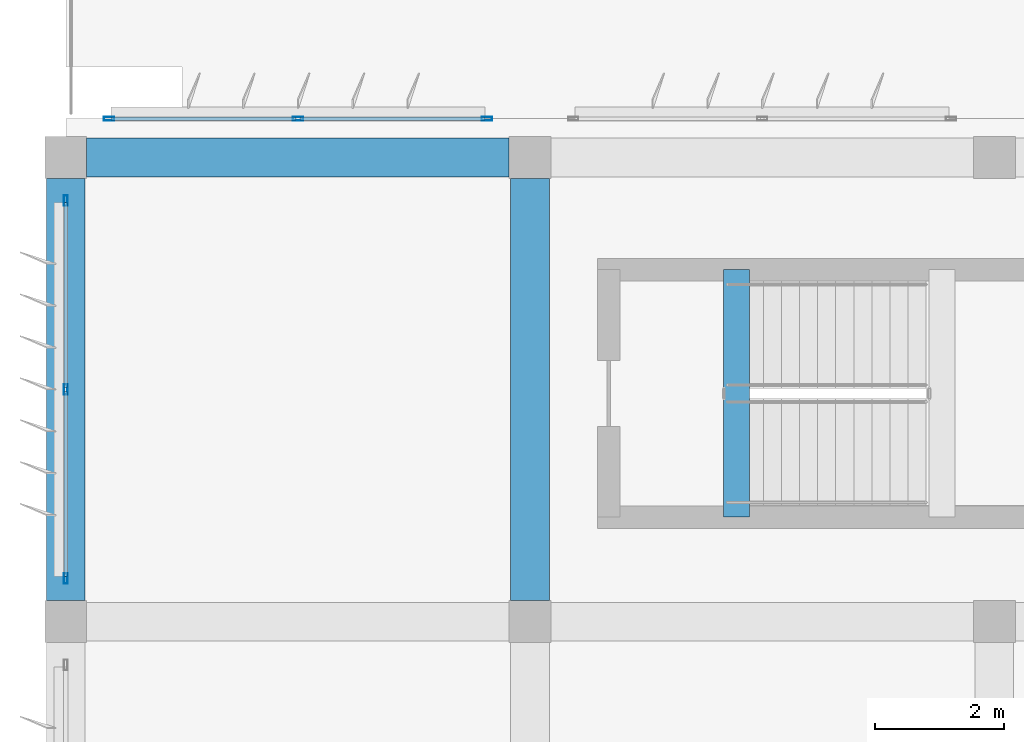
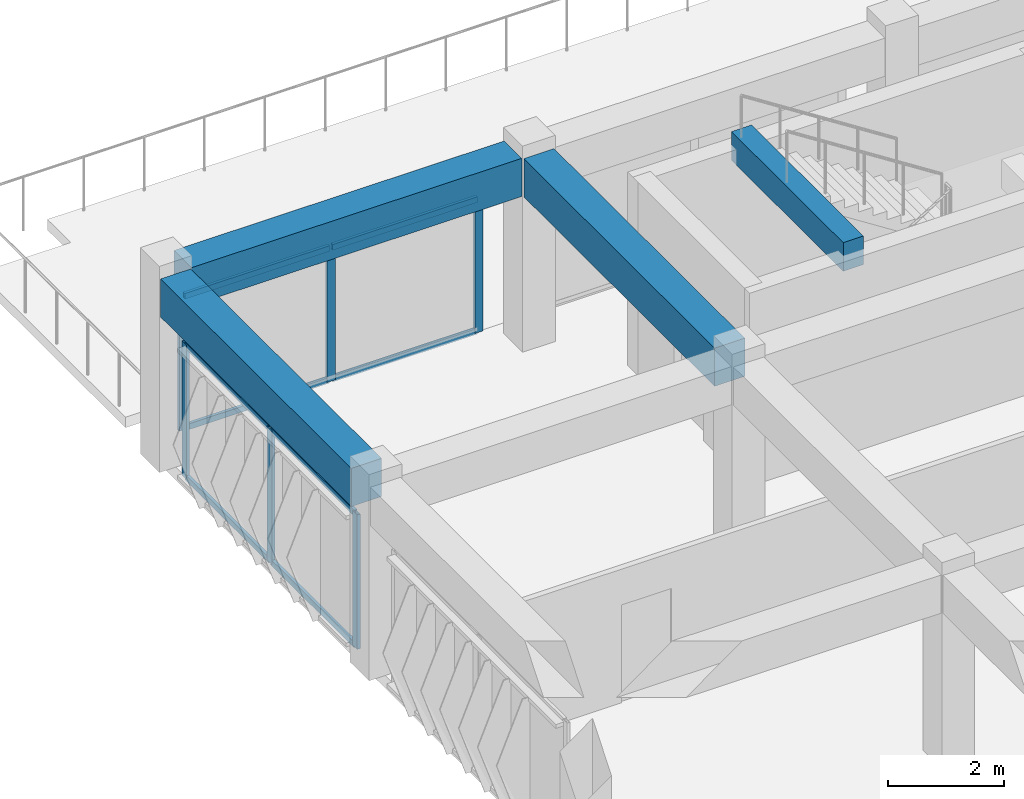
# One storey, part 10 of 42: 14 members, 4 beams, 2 elements without a shape of their own.
"""IFC4 building model written with IfcOpenShell, lengths in metres."""

from ifc_helpers import new_model, si_unit, direction, frame, origin, origin_2d, place, context, subcontext, project, spatial, rectangle, hollow_rectangle, extrude, material, material_profile, profile_set, type_object, element, aggregate, save


model = new_model("IFC4")

# Units and contexts
model_context = context("Model", 3, precision=1e-05, world=origin(), true_north=direction((0.0, 1.0)))
body_context = subcontext(model_context, "Body", "Model", "MODEL_VIEW")
ifc_project = project(units=[si_unit("LENGTHUNIT", "METRE"), si_unit("AREAUNIT", "SQUARE_METRE"), si_unit("VOLUMEUNIT", "CUBIC_METRE"), si_unit("PLANEANGLEUNIT", "RADIAN"), si_unit("MASSUNIT", "GRAM", prefix="KILO")], contexts=[model_context])

# Site, building, storey
site_placement = place(None, origin())
site = spatial("IfcSite", under=ifc_project, at=site_placement, CompositionType="ELEMENT")
building_placement = place(site_placement, origin())
building = spatial("IfcBuilding", under=site, at=building_placement, Name="Kazehaya Institute of Natural Sciences", CompositionType="ELEMENT")
storey_placement = place(building_placement, frame((0.0, 0.0, 37.6201171875)))
storey = spatial("IfcBuildingStorey", under=building, at=storey_placement, Name="L08", CompositionType="ELEMENT", Elevation=37.6201171875)

# Beams
ifc_material_1 = material(Name="Concrete Fc36", Category="concrete")
ifc_material_profile_1 = material_profile(ifc_material_1, rectangle(XDim=0.39990234375, YDim=0.60009765625, at=origin_2d()), Name="RC-400x600")
ifc_profile_set_1 = profile_set([ifc_material_profile_1], Name="Concrete Fc36")
beam_type_1 = type_object("IfcBeamType", Name="BM-B-400x600", PredefinedType="BEAM", material=ifc_profile_set_1)
beam_placement = place(storey_placement, frame((65.0, 22.820068359375, 4.019775390625), z_axis=(0.0, 1.0, 0.0), x_axis=(-1.0, 0.0, 0.0)))
element("IfcBeam", 1, at=beam_placement, inside=storey, type_object=beam_type_1, Name="L09 ST-1 stair header trimmer beam", PredefinedType="BEAM", context=body_context, shape_type="SweptSolid", body=[
    extrude(rectangle(XDim=0.39990234375, YDim=0.60009765625, at=origin_2d()), origin(), (0.0, 0.0, 1.0), 3.83984375),
])
ifc_material_profile_2 = material_profile(ifc_material_1, rectangle(XDim=0.60009765625, YDim=0.800048828125, at=origin_2d()), Name="RC-600x800")
ifc_profile_set_2 = profile_set([ifc_material_profile_2], Name="Concrete Fc36")
beam_type_2 = type_object("IfcBeamType", Name="BM-G-600x800", PredefinedType="BEAM", material=ifc_profile_set_2)
for number, where, z_axis, x_axis, name in (
    (2, (54.925048828125, 28.39990234375, 3.64990234375), (1.0, 0.0, 0.0), (0.0, 1.0, 0.0), "L08 primary X girder BMX-L08-546-284"),
    (3, (54.60009765625, 21.52490234375, 3.64990234375), (0.0, 1.0, 0.0), (-1.0, 0.0, 0.0), "L08 primary Y girder BMY-L08-546-212"),
    (4, (61.800048828125, 21.52490234375, 3.64990234375), (0.0, 1.0, 0.0), (-1.0, 0.0, 0.0), "L08 primary Y girder BMY-L08-618-212"),
):
    element("IfcBeam", number, at=place(storey_placement, frame(where, z_axis=z_axis, x_axis=x_axis)), inside=storey, type_object=beam_type_2, Name=name, PredefinedType="BEAM", context=body_context, shape_type="SweptSolid", body=[
        extrude(rectangle(XDim=0.60009765625, YDim=0.800048828125, at=origin_2d()), origin(), (0.0, 0.0, 1.0), 6.550048828125),
    ])

# Curtain wall, members
ifc_material_2 = material(Name="Aluminium alloy A6063S-T5", Category="aluminium")
curtain_wall_type_1 = type_object("IfcCurtainWallType", Name="CW-SYS-05", PredefinedType="NOTDEFINED", material=ifc_material_2)
curtain_wall_1_placement = place(storey_placement, origin())
curtain_wall_1 = element("IfcCurtainWall", 5, at=curtain_wall_1_placement, inside=storey, type_object=curtain_wall_type_1, Name="L08 unitised curtain wall CW-L08-185", PredefinedType="NOTDEFINED")
ifc_material_profile_3 = material_profile(ifc_material_2, hollow_rectangle(XDim=0.06005859375, YDim=0.159912109375, WallThickness=0.00390625, at=origin_2d()), Name="ALU-60x160x4")
ifc_profile_set_3 = profile_set([ifc_material_profile_3], Name="Aluminium alloy A6063S-T5")
member_type_1 = type_object("IfcMemberType", Name="CWM-160", PredefinedType="MULLION", material=ifc_profile_set_3)
member_1_placement = place(storey_placement, frame((55.27001953125, 29.0, 0.0), z_axis=(0.0, 0.0, 1.0), x_axis=(0.0, 1.0, 0.0)))
member_1 = element("IfcMember", 6, at=member_1_placement, type_object=member_type_1, Name="CW05 mullion 1", PredefinedType="MULLION", context=body_context, shape_type="SweptSolid", body=[
    extrude(hollow_rectangle(XDim=0.06005859375, YDim=0.159912109375, WallThickness=0.00390625, at=origin_2d()), origin(), (0.0, 0.0, 1.0), 2.81982421875),
])
member_2_placement = place(storey_placement, frame((58.199951171875, 29.0, 0.0), z_axis=(0.0, 0.0, 1.0), x_axis=(0.0, 1.0, 0.0)))
member_2 = element("IfcMember", 7, at=member_2_placement, type_object=member_type_1, Name="CW05 mullion 2", PredefinedType="MULLION", context=body_context, shape_type="SweptSolid", body=[
    extrude(hollow_rectangle(XDim=0.06005859375, YDim=0.159912109375, WallThickness=0.00390625, at=origin_2d()), origin(), (0.0, 0.0, 1.0), 2.81982421875),
])
member_3_placement = place(storey_placement, frame((61.1298828125, 29.0, 0.0), z_axis=(0.0, 0.0, 1.0), x_axis=(0.0, 1.0, 0.0)))
member_3 = element("IfcMember", 8, at=member_3_placement, type_object=member_type_1, Name="CW05 mullion 3", PredefinedType="MULLION", context=body_context, shape_type="SweptSolid", body=[
    extrude(hollow_rectangle(XDim=0.06005859375, YDim=0.159912109375, WallThickness=0.00390625, at=origin_2d()), origin(), (0.0, 0.0, 1.0), 2.81982421875),
])

curtain_wall_type_2 = type_object("IfcCurtainWallType", Name="CW-SYS-10", PredefinedType="NOTDEFINED", material=ifc_material_2)
curtain_wall_2_placement = place(storey_placement, origin())
curtain_wall_2 = element("IfcCurtainWall", 9, at=curtain_wall_2_placement, inside=storey, type_object=curtain_wall_type_2, Name="L08 unitised curtain wall CW-L08-199", PredefinedType="NOTDEFINED")
member_4_placement = place(storey_placement, frame((54.60009765625, 21.8701171875, 0.0), z_axis=(0.0, 0.0, 1.0), x_axis=(-1.0, 0.0, 0.0)))
member_4 = element("IfcMember", 10, at=member_4_placement, type_object=member_type_1, Name="CW10 mullion 1", PredefinedType="MULLION", context=body_context, shape_type="SweptSolid", body=[
    extrude(hollow_rectangle(XDim=0.06005859375, YDim=0.159912109375, WallThickness=0.00390625, at=origin_2d()), origin(), (0.0, 0.0, 1.0), 2.81982421875),
])
member_5_placement = place(storey_placement, frame((54.60009765625, 24.800048828125, 0.0), z_axis=(0.0, 0.0, 1.0), x_axis=(-1.0, 0.0, 0.0)))
member_5 = element("IfcMember", 11, at=member_5_placement, type_object=member_type_1, Name="CW10 mullion 2", PredefinedType="MULLION", context=body_context, shape_type="SweptSolid", body=[
    extrude(hollow_rectangle(XDim=0.06005859375, YDim=0.159912109375, WallThickness=0.00390625, at=origin_2d()), origin(), (0.0, 0.0, 1.0), 2.81982421875),
])
member_6_placement = place(storey_placement, frame((54.60009765625, 27.72998046875, 0.0), z_axis=(0.0, 0.0, 1.0), x_axis=(-1.0, 0.0, 0.0)))
member_6 = element("IfcMember", 12, at=member_6_placement, type_object=member_type_1, Name="CW10 mullion 3", PredefinedType="MULLION", context=body_context, shape_type="SweptSolid", body=[
    extrude(hollow_rectangle(XDim=0.06005859375, YDim=0.159912109375, WallThickness=0.00390625, at=origin_2d()), origin(), (0.0, 0.0, 1.0), 2.81982421875),
])

# Member
ifc_material_profile_4 = material_profile(ifc_material_2, hollow_rectangle(XDim=0.06005859375, YDim=0.1201171875, WallThickness=0.00341796875, at=origin_2d()), Name="ALU-60x120x3.5")
ifc_profile_set_4 = profile_set([ifc_material_profile_4], Name="Aluminium alloy A6063S-T5")
member_type_2 = type_object("IfcMemberType", Name="CWT-120", PredefinedType="USERDEFINED", material=ifc_profile_set_4)
member_7_placement = place(storey_placement, frame((55.300048828125, 29.0, 0.02978515625), z_axis=(1.0, 0.0, 0.0), x_axis=(0.0, 1.0, 0.0)))
member_7 = element("IfcMember", 13, at=member_7_placement, type_object=member_type_2, Name="CW05 transom 1.1", ObjectType="TRANSOM", PredefinedType="USERDEFINED", context=body_context, shape_type="SweptSolid", body=[
    extrude(hollow_rectangle(XDim=0.06005859375, YDim=0.1201171875, WallThickness=0.00341796875, at=origin_2d()), origin(), (0.0, 0.0, 1.0), 2.869873046875),
])

member_8_placement = place(storey_placement, frame((55.300048828125, 29.0, 2.789794921875), z_axis=(1.0, 0.0, 0.0), x_axis=(0.0, 1.0, 0.0)))
member_8 = element("IfcMember", 14, at=member_8_placement, type_object=member_type_2, Name="CW05 transom 1.2", ObjectType="TRANSOM", PredefinedType="USERDEFINED", context=body_context, shape_type="SweptSolid", body=[
    extrude(hollow_rectangle(XDim=0.06005859375, YDim=0.1201171875, WallThickness=0.00341796875, at=origin_2d()), origin(), (0.0, 0.0, 1.0), 2.869873046875),
])

member_9_placement = place(storey_placement, frame((58.22998046875, 29.0, 0.02978515625), z_axis=(1.0, 0.0, 0.0), x_axis=(0.0, 1.0, 0.0)))
member_9 = element("IfcMember", 15, at=member_9_placement, type_object=member_type_2, Name="CW05 transom 2.1", ObjectType="TRANSOM", PredefinedType="USERDEFINED", context=body_context, shape_type="SweptSolid", body=[
    extrude(hollow_rectangle(XDim=0.06005859375, YDim=0.1201171875, WallThickness=0.00341796875, at=origin_2d()), origin(), (0.0, 0.0, 1.0), 2.8701171875),
])

member_10_placement = place(storey_placement, frame((58.22998046875, 29.0, 2.789794921875), z_axis=(1.0, 0.0, 0.0), x_axis=(0.0, 1.0, 0.0)))
member_10 = element("IfcMember", 16, at=member_10_placement, type_object=member_type_2, Name="CW05 transom 2.2", ObjectType="TRANSOM", PredefinedType="USERDEFINED", context=body_context, shape_type="SweptSolid", body=[
    extrude(hollow_rectangle(XDim=0.06005859375, YDim=0.1201171875, WallThickness=0.00341796875, at=origin_2d()), origin(), (0.0, 0.0, 1.0), 2.8701171875),
])

aggregate(curtain_wall_1, [member_1, member_2, member_3, member_7, member_8, member_9, member_10])

member_11_placement = place(storey_placement, frame((54.60009765625, 21.89990234375, 0.02978515625), z_axis=(0.0, 1.0, 0.0), x_axis=(-1.0, 0.0, 0.0)))
member_11 = element("IfcMember", 17, at=member_11_placement, type_object=member_type_2, Name="CW10 transom 1.1", ObjectType="TRANSOM", PredefinedType="USERDEFINED", context=body_context, shape_type="SweptSolid", body=[
    extrude(hollow_rectangle(XDim=0.06005859375, YDim=0.1201171875, WallThickness=0.00341796875, at=origin_2d()), origin(), (0.0, 0.0, 1.0), 2.8701171875),
])

member_12_placement = place(storey_placement, frame((54.60009765625, 21.89990234375, 2.789794921875), z_axis=(0.0, 1.0, 0.0), x_axis=(-1.0, 0.0, 0.0)))
member_12 = element("IfcMember", 18, at=member_12_placement, type_object=member_type_2, Name="CW10 transom 1.2", ObjectType="TRANSOM", PredefinedType="USERDEFINED", context=body_context, shape_type="SweptSolid", body=[
    extrude(hollow_rectangle(XDim=0.06005859375, YDim=0.1201171875, WallThickness=0.00341796875, at=origin_2d()), origin(), (0.0, 0.0, 1.0), 2.8701171875),
])

member_13_placement = place(storey_placement, frame((54.60009765625, 24.830078125, 0.02978515625), z_axis=(0.0, 1.0, 0.0), x_axis=(-1.0, 0.0, 0.0)))
member_13 = element("IfcMember", 19, at=member_13_placement, type_object=member_type_2, Name="CW10 transom 2.1", ObjectType="TRANSOM", PredefinedType="USERDEFINED", context=body_context, shape_type="SweptSolid", body=[
    extrude(hollow_rectangle(XDim=0.06005859375, YDim=0.1201171875, WallThickness=0.00341796875, at=origin_2d()), origin(), (0.0, 0.0, 1.0), 2.869873046875),
])

member_14_placement = place(storey_placement, frame((54.60009765625, 24.830078125, 2.789794921875), z_axis=(0.0, 1.0, 0.0), x_axis=(-1.0, 0.0, 0.0)))
member_14 = element("IfcMember", 20, at=member_14_placement, type_object=member_type_2, Name="CW10 transom 2.2", ObjectType="TRANSOM", PredefinedType="USERDEFINED", context=body_context, shape_type="SweptSolid", body=[
    extrude(hollow_rectangle(XDim=0.06005859375, YDim=0.1201171875, WallThickness=0.00341796875, at=origin_2d()), origin(), (0.0, 0.0, 1.0), 2.869873046875),
])

aggregate(curtain_wall_2, [member_4, member_5, member_6, member_11, member_12, member_13, member_14])

save(model, "model.ifc")
